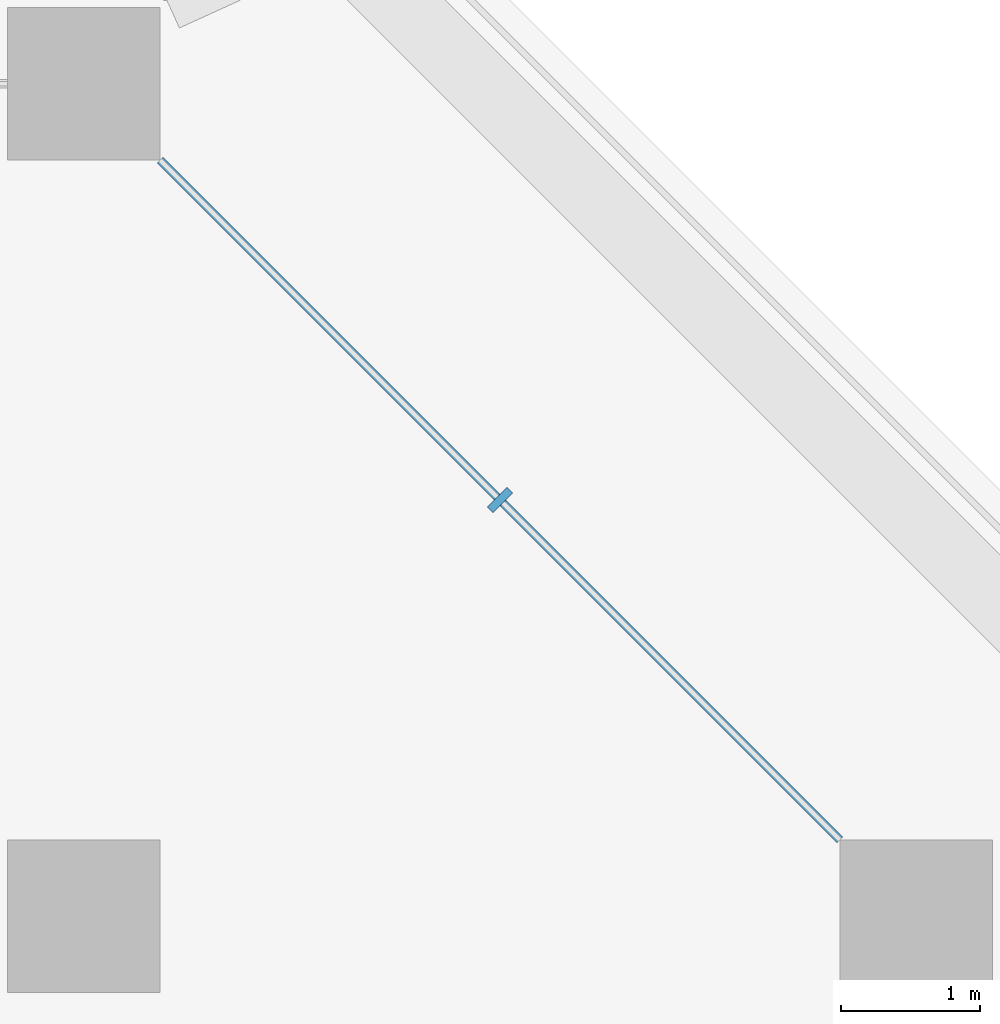
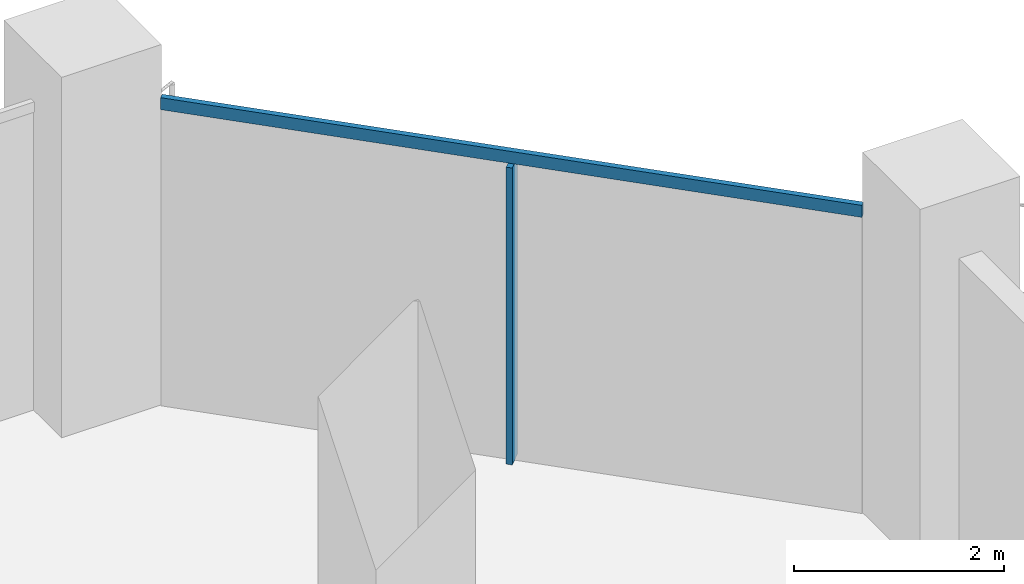
# One storey, part 12 of 29: 2 members, 1 element without a shape of its own.
"""IFC4 building model written with IfcOpenShell, lengths in metres."""

from ifc_helpers import new_model, si_unit, direction, frame, origin, origin_2d, place, context, subcontext, project, spatial, rectangle, extrude, material, layer, layer_set, material_profile, profile_set, type_object, element, aggregate, save


model = new_model("IFC4")

# Units and contexts
model_context = context("Model", 3, precision=1e-05, world=origin(), true_north=direction((0.0, 1.0)))
body_context = subcontext(model_context, "Body", "Model", "MODEL_VIEW")
ifc_project = project(units=[si_unit("LENGTHUNIT", "METRE"), si_unit("AREAUNIT", "SQUARE_METRE"), si_unit("VOLUMEUNIT", "CUBIC_METRE"), si_unit("PLANEANGLEUNIT", "RADIAN"), si_unit("MASSUNIT", "GRAM", prefix="KILO")], contexts=[model_context])

# Site, building, storey
site_placement = place(None, origin())
site = spatial("IfcSite", under=ifc_project, at=site_placement, CompositionType="ELEMENT")
building_placement = place(site_placement, origin())
building = spatial("IfcBuilding", under=site, at=building_placement, Name="Kawkab Arch Medical Tower", CompositionType="ELEMENT")
storey_placement = place(building_placement, frame((0.0, 0.0, 107.199951171875)))
storey = spatial("IfcBuildingStorey", under=building, at=storey_placement, Name="L24", CompositionType="ELEMENT", Elevation=107.199951171875)

# Curtain wall, members
ifc_material_1 = material(Name="Bronze anodised aluminium curtain wall frame", Category="aluminium")
ifc_layer = layer(ifc_material_1, 0.159912109375)
ifc_layer_set = layer_set([ifc_layer], Name="Bronze anodised aluminium curtain wall frame")
curtain_wall_type = type_object("IfcCurtainWallType", Name="CW2 chamfer curtain wall", PredefinedType="NOTDEFINED", material=ifc_layer_set)
curtain_wall_placement = place(storey_placement, origin())
curtain_wall = element("IfcCurtainWall", 1, at=curtain_wall_placement, inside=storey, type_object=curtain_wall_type, Name="CW2 Chamfer curtain wall R10", PredefinedType="NOTDEFINED")
ifc_material_2 = material(Name="Bronze anodised aluminium curtain wall frame", Category="aluminium")
ifc_material_profile_1 = material_profile(ifc_material_2, rectangle(XDim=0.199951171875, YDim=0.06005859375, at=origin_2d()), Name="AL 60x200")
ifc_profile_set_1 = profile_set([ifc_material_profile_1], Name="Bronze anodised aluminium curtain wall frame")
member_type_1 = type_object("IfcMemberType", Name="CW2 mullion 60 x 200", PredefinedType="MULLION", material=ifc_profile_set_1)
member_1_placement = place(storey_placement, frame((76.800048828125, 3.0, 0.0), z_axis=(0.0, 0.0, 1.0), x_axis=(-0.707106781187, -0.707106781187, 0.0)))
member_1 = element("IfcMember", 2, at=member_1_placement, type_object=member_type_1, Name="CW2 mullion 1.1", PredefinedType="MULLION", context=body_context, shape_type="SweptSolid", body=[
    extrude(rectangle(XDim=0.199951171875, YDim=0.06005859375, at=origin_2d()), origin(), (0.0, 0.0, 1.0), 3.4599609375),
])
ifc_material_3 = material(Name="Bronze anodised aluminium curtain wall frame", Category="aluminium")
ifc_material_profile_2 = material_profile(ifc_material_3, rectangle(XDim=0.06005859375, YDim=0.139892578125, at=origin_2d()), Name="AL 60x140")
ifc_profile_set_2 = profile_set([ifc_material_profile_2], Name="Bronze anodised aluminium curtain wall frame")
member_type_2 = type_object("IfcMemberType", Name="CW2 transom 140 x 60", PredefinedType="USERDEFINED", material=ifc_profile_set_2)
member_2_placement = place(storey_placement, frame((79.25, 0.550048828125, 3.530029296875), z_axis=(-0.707106781187, 0.707106781187, 0.0), x_axis=(-0.707106781187, -0.707106781187, 0.0)))
member_2 = element("IfcMember", 3, at=member_2_placement, type_object=member_type_2, Name="CW2 transom 1", ObjectType="TRANSOM", PredefinedType="USERDEFINED", context=body_context, shape_type="SweptSolid", body=[
    extrude(rectangle(XDim=0.06005859375, YDim=0.139892578125, at=origin_2d()), origin(), (0.0, 0.0, 1.0), 6.929443359375),
])
aggregate(curtain_wall, [member_2, member_1])

save(model, "model.ifc")
